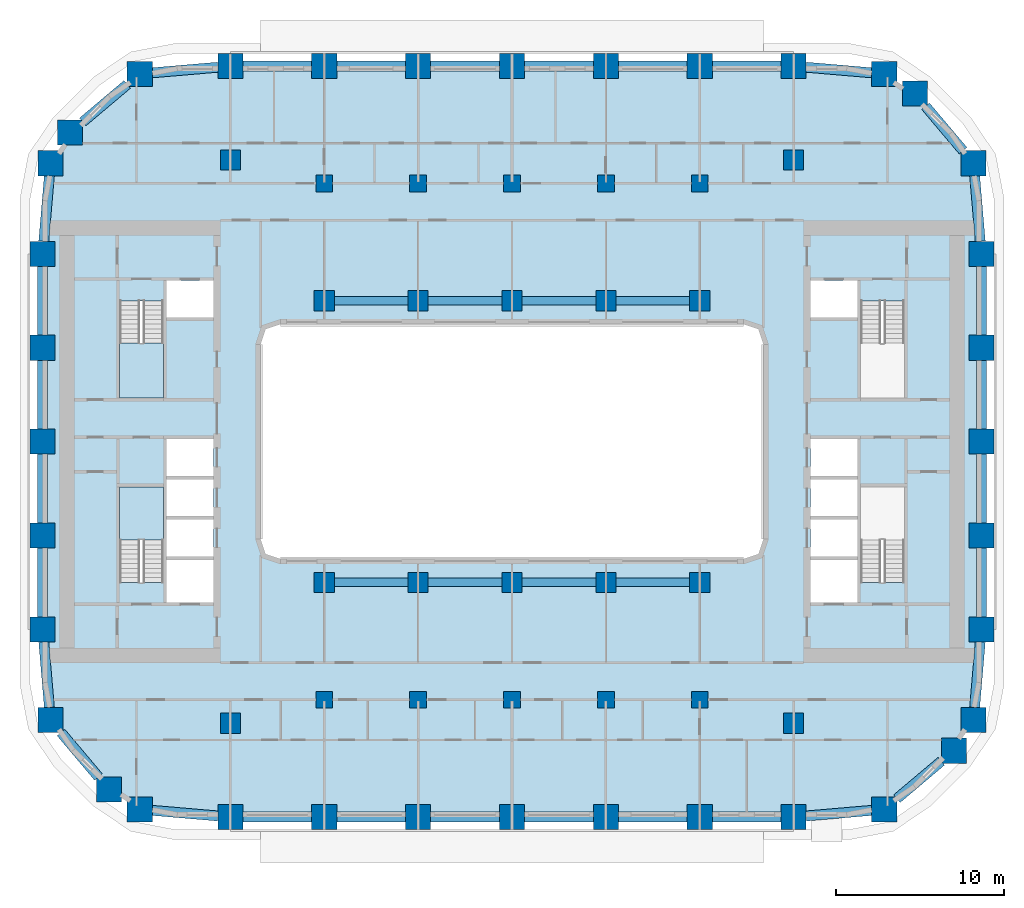
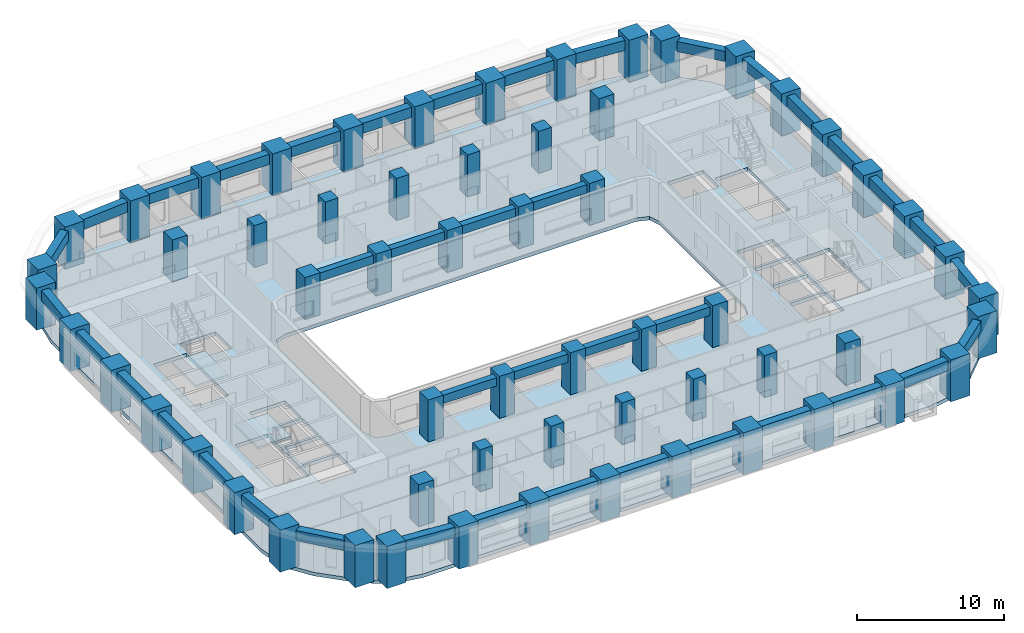
# One storey, part 1 of 21: 60 columns, 40 beams, 3 slabs, 2 elements without a shape of their own.
"""IFC4 building model written with IfcOpenShell, lengths in metres."""

from ifc_helpers import new_model, si_unit, direction, frame, origin, origin_2d, place, context, subcontext, project, spatial, polyline, rectangle, outline, extrude, material, layer, layer_set, material_profile, profile_set, type_object, element, aggregate, save


model = new_model("IFC4")

# Units and contexts
model_context = context("Model", 3, precision=1e-05, world=origin(), true_north=direction((0.0, 1.0)))
body_context = subcontext(model_context, "Body", "Model", "MODEL_VIEW")
ifc_project = project(units=[si_unit("LENGTHUNIT", "METRE"), si_unit("AREAUNIT", "SQUARE_METRE"), si_unit("VOLUMEUNIT", "CUBIC_METRE"), si_unit("PLANEANGLEUNIT", "RADIAN"), si_unit("MASSUNIT", "GRAM", prefix="KILO")], contexts=[model_context])

# Site, building, storey
site_placement = place(None, origin())
site = spatial("IfcSite", under=ifc_project, at=site_placement, CompositionType="ELEMENT")
building_placement = place(site_placement, origin())
building = spatial("IfcBuilding", under=site, at=building_placement, Name="Kiln Ring Residences", CompositionType="ELEMENT")
storey_placement = place(building_placement, frame((0.0, 0.0, 34.0)))
storey = spatial("IfcBuildingStorey", under=building, at=storey_placement, Name="L07", CompositionType="ELEMENT", Elevation=34.0)

# Columns
ifc_material_1 = material(Name="Concrete C80/95", Category="concrete")
ifc_material_profile_1 = material_profile(ifc_material_1, rectangle(XDim=1.0, YDim=1.0, at=origin_2d()), Name="RC1000x1000")
ifc_profile_set_1 = profile_set([ifc_material_profile_1], Name="Concrete C80/95")
column_type_1 = type_object("IfcColumnType", Name="Corridor column RC1000x1000 C80/95", PredefinedType="COLUMN", material=ifc_profile_set_1)
for number, where, z_axis, x_axis, name in (
    (1, (-11.199951171875, 15.39990234375, 0.0), (0.0, 0.0, 1.0), (1.0, 0.0, 0.0), "Corridor column L07 1"),
    (2, (-5.60009765625, 15.39990234375, 0.0), (0.0, 0.0, 1.0), (1.0, 0.0, 0.0), "Corridor column L07 2"),
    (3, (0.0, 15.39990234375, 0.0), (0.0, 0.0, 1.0), (1.0, 0.0, 0.0), "Corridor column L07 3"),
    (4, (5.60009765625, 15.39990234375, 0.0), (0.0, 0.0, 1.0), (1.0, 0.0, 0.0), "Corridor column L07 4"),
    (5, (11.199951171875, 15.39990234375, 0.0), (0.0, 0.0, 1.0), (1.0, 0.0, 0.0), "Corridor column L07 5"),
    (6, (-11.199951171875, -15.39990234375, 0.0), (0.0, 0.0, 1.0), (1.0, 0.0, 0.0), "Corridor column L07 6"),
    (7, (-5.60009765625, -15.39990234375, 0.0), (0.0, 0.0, 1.0), (1.0, 0.0, 0.0), "Corridor column L07 7"),
    (8, (0.0, -15.39990234375, 0.0), (0.0, 0.0, 1.0), (1.0, 0.0, 0.0), "Corridor column L07 8"),
    (9, (5.60009765625, -15.39990234375, 0.0), (0.0, 0.0, 1.0), (1.0, 0.0, 0.0), "Corridor column L07 9"),
    (10, (11.199951171875, -15.39990234375, 0.0), (0.0, 0.0, 1.0), (1.0, 0.0, 0.0), "Corridor column L07 10"),
):
    element("IfcColumn", number, at=place(storey_placement, frame(where, z_axis=z_axis, x_axis=x_axis)), inside=storey, type_object=column_type_1, Name=name, PredefinedType="COLUMN", context=body_context, shape_type="SweptSolid", body=[
        extrude(rectangle(XDim=1.0, YDim=1.0, at=origin_2d()), origin(), (0.0, 0.0, 1.0), 3.5),
    ])
ifc_material_2 = material(Name="Concrete C80/95", Category="concrete")
ifc_material_profile_2 = material_profile(ifc_material_2, rectangle(XDim=1.5, YDim=1.5, at=origin_2d()), Name="RC1500x1500")
ifc_profile_set_2 = profile_set([ifc_material_profile_2], Name="Concrete C80/95")
column_type_2 = type_object("IfcColumnType", Name="Perimeter column RC1500x1500 C80/95", PredefinedType="COLUMN", material=ifc_profile_set_2)
for number, where, z_axis, x_axis, name in (
    (11, (-22.208740234375, -21.93798828125, 0.0), (0.0, 0.0, 1.0), (1.0, 0.0, 0.0), "Perimeter column L07 1"),
    (12, (-16.800048828125, -22.39990234375, 0.0), (0.0, 0.0, 1.0), (1.0, 0.0, 0.0), "Perimeter column L07 2"),
    (13, (-11.199951171875, -22.39990234375, 0.0), (0.0, 0.0, 1.0), (1.0, 0.0, 0.0), "Perimeter column L07 3"),
    (14, (-5.60009765625, -22.39990234375, 0.0), (0.0, 0.0, 1.0), (1.0, 0.0, 0.0), "Perimeter column L07 4"),
    (15, (0.0, -22.39990234375, 0.0), (0.0, 0.0, 1.0), (1.0, 0.0, 0.0), "Perimeter column L07 5"),
    (16, (5.60009765625, -22.39990234375, 0.0), (0.0, 0.0, 1.0), (1.0, 0.0, 0.0), "Perimeter column L07 6"),
    (17, (11.199951171875, -22.39990234375, 0.0), (0.0, 0.0, 1.0), (1.0, 0.0, 0.0), "Perimeter column L07 7"),
    (18, (16.800048828125, -22.39990234375, 0.0), (0.0, 0.0, 1.0), (1.0, 0.0, 0.0), "Perimeter column L07 8"),
    (19, (22.208740234375, -21.93798828125, 0.0), (0.0, 0.0, 1.0), (1.0, 0.0, 0.0), "Perimeter column L07 9"),
    (20, (26.35986328125, -18.440185546875, 0.0), (0.0, 0.0, 1.0), (1.0, 0.0, 0.0), "Perimeter column L07 10"),
    (21, (27.5380859375, -16.608642578125, 0.0), (0.0, 0.0, 1.0), (1.0, 0.0, 0.0), "Perimeter column L07 11"),
    (22, (28.0, -11.199951171875, 0.0), (0.0, 0.0, 1.0), (1.0, 0.0, 0.0), "Perimeter column L07 12"),
    (23, (28.0, -5.60009765625, 0.0), (0.0, 0.0, 1.0), (1.0, 0.0, 0.0), "Perimeter column L07 13"),
    (24, (28.0, 0.0, 0.0), (0.0, 0.0, 1.0), (1.0, 0.0, 0.0), "Perimeter column L07 14"),
    (25, (28.0, 5.60009765625, 0.0), (0.0, 0.0, 1.0), (1.0, 0.0, 0.0), "Perimeter column L07 15"),
    (26, (28.0, 11.199951171875, 0.0), (0.0, 0.0, 1.0), (1.0, 0.0, 0.0), "Perimeter column L07 16"),
    (27, (27.5380859375, 16.608642578125, 0.0), (0.0, 0.0, 1.0), (1.0, 0.0, 0.0), "Perimeter column L07 17"),
    (28, (24.040283203125, 20.759765625, 0.0), (0.0, 0.0, 1.0), (1.0, 0.0, 0.0), "Perimeter column L07 18"),
    (29, (22.208740234375, 21.93798828125, 0.0), (0.0, 0.0, 1.0), (1.0, 0.0, 0.0), "Perimeter column L07 19"),
    (30, (16.800048828125, 22.39990234375, 0.0), (0.0, 0.0, 1.0), (1.0, 0.0, 0.0), "Perimeter column L07 20"),
    (31, (11.199951171875, 22.39990234375, 0.0), (0.0, 0.0, 1.0), (1.0, 0.0, 0.0), "Perimeter column L07 21"),
    (32, (5.60009765625, 22.39990234375, 0.0), (0.0, 0.0, 1.0), (1.0, 0.0, 0.0), "Perimeter column L07 22"),
    (33, (0.0, 22.39990234375, 0.0), (0.0, 0.0, 1.0), (1.0, 0.0, 0.0), "Perimeter column L07 23"),
    (34, (-5.60009765625, 22.39990234375, 0.0), (0.0, 0.0, 1.0), (1.0, 0.0, 0.0), "Perimeter column L07 24"),
    (35, (-11.199951171875, 22.39990234375, 0.0), (0.0, 0.0, 1.0), (1.0, 0.0, 0.0), "Perimeter column L07 25"),
    (36, (-16.800048828125, 22.39990234375, 0.0), (0.0, 0.0, 1.0), (1.0, 0.0, 0.0), "Perimeter column L07 26"),
    (37, (-22.208740234375, 21.93798828125, 0.0), (0.0, 0.0, 1.0), (1.0, 0.0, 0.0), "Perimeter column L07 27"),
    (38, (-26.35986328125, 18.440185546875, 0.0), (0.0, 0.0, 1.0), (1.0, 0.0, 0.0), "Perimeter column L07 28"),
    (39, (-27.5380859375, 16.608642578125, 0.0), (0.0, 0.0, 1.0), (1.0, 0.0, 0.0), "Perimeter column L07 29"),
    (40, (-28.0, 11.199951171875, 0.0), (0.0, 0.0, 1.0), (1.0, 0.0, 0.0), "Perimeter column L07 30"),
    (41, (-28.0, 5.60009765625, 0.0), (0.0, 0.0, 1.0), (1.0, 0.0, 0.0), "Perimeter column L07 31"),
    (42, (-28.0, 0.0, 0.0), (0.0, 0.0, 1.0), (1.0, 0.0, 0.0), "Perimeter column L07 32"),
    (43, (-28.0, -5.60009765625, 0.0), (0.0, 0.0, 1.0), (1.0, 0.0, 0.0), "Perimeter column L07 33"),
    (44, (-28.0, -11.199951171875, 0.0), (0.0, 0.0, 1.0), (1.0, 0.0, 0.0), "Perimeter column L07 34"),
    (45, (-27.5380859375, -16.608642578125, 0.0), (0.0, 0.0, 1.0), (1.0, 0.0, 0.0), "Perimeter column L07 35"),
    (46, (-24.040283203125, -20.759765625, 0.0), (0.0, 0.0, 1.0), (1.0, 0.0, 0.0), "Perimeter column L07 36"),
):
    element("IfcColumn", number, at=place(storey_placement, frame(where, z_axis=z_axis, x_axis=x_axis)), inside=storey, type_object=column_type_2, Name=name, PredefinedType="COLUMN", context=body_context, shape_type="SweptSolid", body=[
        extrude(rectangle(XDim=1.5, YDim=1.5, at=origin_2d()), origin(), (0.0, 0.0, 1.0), 3.5),
    ])
ifc_material_3 = material(Name="Concrete C80/95", Category="concrete")
ifc_material_profile_3 = material_profile(ifc_material_3, rectangle(XDim=1.199951171875, YDim=1.199951171875, at=origin_2d()), Name="RC1200x1200")
ifc_profile_set_3 = profile_set([ifc_material_profile_3], Name="Concrete C80/95")
column_type_3 = type_object("IfcColumnType", Name="Ring column RC1200x1200 C80/95", PredefinedType="COLUMN", material=ifc_profile_set_3)
for number, where, z_axis, x_axis, name in (
    (47, (-16.800048828125, -16.800048828125, 0.0), (0.0, 0.0, 1.0), (1.0, 0.0, 0.0), "Ring column L07 1"),
    (48, (-16.800048828125, 16.800048828125, 0.0), (0.0, 0.0, 1.0), (1.0, 0.0, 0.0), "Ring column L07 2"),
    (49, (-11.199951171875, -8.39990234375, 0.0), (0.0, 0.0, 1.0), (1.0, 0.0, 0.0), "Ring column L07 3"),
    (50, (-11.199951171875, 8.39990234375, 0.0), (0.0, 0.0, 1.0), (1.0, 0.0, 0.0), "Ring column L07 4"),
    (51, (-5.60009765625, -8.39990234375, 0.0), (0.0, 0.0, 1.0), (1.0, 0.0, 0.0), "Ring column L07 5"),
    (52, (-5.60009765625, 8.39990234375, 0.0), (0.0, 0.0, 1.0), (1.0, 0.0, 0.0), "Ring column L07 6"),
    (53, (0.0, -8.39990234375, 0.0), (0.0, 0.0, 1.0), (1.0, 0.0, 0.0), "Ring column L07 7"),
    (54, (0.0, 8.39990234375, 0.0), (0.0, 0.0, 1.0), (1.0, 0.0, 0.0), "Ring column L07 8"),
    (55, (5.60009765625, -8.39990234375, 0.0), (0.0, 0.0, 1.0), (1.0, 0.0, 0.0), "Ring column L07 9"),
    (56, (5.60009765625, 8.39990234375, 0.0), (0.0, 0.0, 1.0), (1.0, 0.0, 0.0), "Ring column L07 10"),
    (57, (11.199951171875, -8.39990234375, 0.0), (0.0, 0.0, 1.0), (1.0, 0.0, 0.0), "Ring column L07 11"),
    (58, (11.199951171875, 8.39990234375, 0.0), (0.0, 0.0, 1.0), (1.0, 0.0, 0.0), "Ring column L07 12"),
    (59, (16.800048828125, -16.800048828125, 0.0), (0.0, 0.0, 1.0), (1.0, 0.0, 0.0), "Ring column L07 13"),
    (60, (16.800048828125, 16.800048828125, 0.0), (0.0, 0.0, 1.0), (1.0, 0.0, 0.0), "Ring column L07 14"),
):
    element("IfcColumn", number, at=place(storey_placement, frame(where, z_axis=z_axis, x_axis=x_axis)), inside=storey, type_object=column_type_3, Name=name, PredefinedType="COLUMN", context=body_context, shape_type="SweptSolid", body=[
        extrude(rectangle(XDim=1.199951171875, YDim=1.199951171875, at=origin_2d()), origin(), (0.0, 0.0, 1.0), 3.5),
    ])

# Beams
ifc_material_4 = material(Name="Concrete C50/60", Category="concrete")
ifc_material_profile_4 = material_profile(ifc_material_4, rectangle(XDim=0.5, YDim=0.699951171875, at=origin_2d()), Name="RC500x700")
ifc_profile_set_4 = profile_set([ifc_material_profile_4], Name="Concrete C50/60")
beam_type_1 = type_object("IfcBeamType", Name="Ring beam RC500x700 C50/60", PredefinedType="BEAM", material=ifc_profile_set_4)
beam_1_placement = place(storey_placement, frame((-10.60009765625, -8.39990234375, 2.85009765625), z_axis=(1.0, 0.0, 0.0), x_axis=(0.0, 1.0, 0.0)))
element("IfcBeam", 61, at=beam_1_placement, inside=storey, type_object=beam_type_1, Name="Ring beam L07 1", PredefinedType="BEAM", context=body_context, shape_type="SweptSolid", body=[
    extrude(rectangle(XDim=0.5, YDim=0.699951171875, at=origin_2d()), origin(), (0.0, 0.0, 1.0), 4.400146484375),
])
for number, where, z_axis, x_axis, name in (
    (62, (-5.0, -8.39990234375, 2.85009765625), (1.0, 0.0, 0.0), (0.0, 1.0, 0.0), "Ring beam L07 2"),
    (63, (0.60009765625, -8.39990234375, 2.85009765625), (1.0, 0.0, 0.0), (0.0, 1.0, 0.0), "Ring beam L07 3"),
):
    element("IfcBeam", number, at=place(storey_placement, frame(where, z_axis=z_axis, x_axis=x_axis)), inside=storey, type_object=beam_type_1, Name=name, PredefinedType="BEAM", context=body_context, shape_type="SweptSolid", body=[
        extrude(rectangle(XDim=0.5, YDim=0.699951171875, at=origin_2d()), origin(), (0.0, 0.0, 1.0), 4.39990234375),
    ])
for number, where, z_axis, x_axis, name in (
    (64, (6.199951171875, -8.39990234375, 2.85009765625), (1.0, 0.0, 0.0), (0.0, 1.0, 0.0), "Ring beam L07 4"),
    (65, (-10.60009765625, 8.39990234375, 2.85009765625), (1.0, 0.0, 0.0), (0.0, 1.0, 0.0), "Ring beam L07 5"),
):
    element("IfcBeam", number, at=place(storey_placement, frame(where, z_axis=z_axis, x_axis=x_axis)), inside=storey, type_object=beam_type_1, Name=name, PredefinedType="BEAM", context=body_context, shape_type="SweptSolid", body=[
        extrude(rectangle(XDim=0.5, YDim=0.699951171875, at=origin_2d()), origin(), (0.0, 0.0, 1.0), 4.400146484375),
    ])
for number, where, z_axis, x_axis, name in (
    (66, (-5.0, 8.39990234375, 2.85009765625), (1.0, 0.0, 0.0), (0.0, 1.0, 0.0), "Ring beam L07 6"),
    (67, (0.60009765625, 8.39990234375, 2.85009765625), (1.0, 0.0, 0.0), (0.0, 1.0, 0.0), "Ring beam L07 7"),
):
    element("IfcBeam", number, at=place(storey_placement, frame(where, z_axis=z_axis, x_axis=x_axis)), inside=storey, type_object=beam_type_1, Name=name, PredefinedType="BEAM", context=body_context, shape_type="SweptSolid", body=[
        extrude(rectangle(XDim=0.5, YDim=0.699951171875, at=origin_2d()), origin(), (0.0, 0.0, 1.0), 4.39990234375),
    ])
beam_2_placement = place(storey_placement, frame((6.199951171875, 8.39990234375, 2.85009765625), z_axis=(1.0, 0.0, 0.0), x_axis=(0.0, 1.0, 0.0)))
element("IfcBeam", 68, at=beam_2_placement, inside=storey, type_object=beam_type_1, Name="Ring beam L07 8", PredefinedType="BEAM", context=body_context, shape_type="SweptSolid", body=[
    extrude(rectangle(XDim=0.5, YDim=0.699951171875, at=origin_2d()), origin(), (0.0, 0.0, 1.0), 4.400146484375),
])
ifc_material_5 = material(Name="Concrete C50/60", Category="concrete")
ifc_material_profile_5 = material_profile(ifc_material_5, rectangle(XDim=0.60009765625, YDim=0.85009765625, at=origin_2d()), Name="RC600x850")
ifc_profile_set_5 = profile_set([ifc_material_profile_5], Name="Concrete C50/60")
beam_type_2 = type_object("IfcBeamType", Name="Spandrel beam RC600x850 C50/60", PredefinedType="SPANDREL", material=ifc_profile_set_5)
beam_3_placement = place(storey_placement, frame((-21.458740234375, -22.002197265625, 2.77490234375), z_axis=(0.996374585929, -0.085074582072, 0.0), x_axis=(0.085074582072, 0.996374585929, 0.0)))
element("IfcBeam", 69, at=beam_3_placement, inside=storey, type_object=beam_type_2, Name="Spandrel beam L07 1", PredefinedType="SPANDREL", context=body_context, shape_type="SweptSolid", body=[
    extrude(rectangle(XDim=0.60009765625, YDim=0.85009765625, at=origin_2d()), origin(), (0.0, 0.0, 1.0), 3.9228515625),
])
beam_4_placement = place(storey_placement, frame((-16.050048828125, -22.39990234375, 2.77490234375), z_axis=(1.0, 0.0, 0.0), x_axis=(0.0, 1.0, 0.0)))
element("IfcBeam", 70, at=beam_4_placement, inside=storey, type_object=beam_type_2, Name="Spandrel beam L07 2", PredefinedType="SPANDREL", context=body_context, shape_type="SweptSolid", body=[
    extrude(rectangle(XDim=0.60009765625, YDim=0.85009765625, at=origin_2d()), origin(), (0.0, 0.0, 1.0), 4.10009765625),
])
beam_5_placement = place(storey_placement, frame((-10.449951171875, -22.39990234375, 2.77490234375), z_axis=(1.0, 0.0, 0.0), x_axis=(0.0, 1.0, 0.0)))
element("IfcBeam", 71, at=beam_5_placement, inside=storey, type_object=beam_type_2, Name="Spandrel beam L07 3", PredefinedType="SPANDREL", context=body_context, shape_type="SweptSolid", body=[
    extrude(rectangle(XDim=0.60009765625, YDim=0.85009765625, at=origin_2d()), origin(), (0.0, 0.0, 1.0), 4.099853515625),
])
for number, where, z_axis, x_axis, name in (
    (72, (-4.85009765625, -22.39990234375, 2.77490234375), (1.0, 0.0, 0.0), (0.0, 1.0, 0.0), "Spandrel beam L07 4"),
    (73, (0.75, -22.39990234375, 2.77490234375), (1.0, 0.0, 0.0), (0.0, 1.0, 0.0), "Spandrel beam L07 5"),
):
    element("IfcBeam", number, at=place(storey_placement, frame(where, z_axis=z_axis, x_axis=x_axis)), inside=storey, type_object=beam_type_2, Name=name, PredefinedType="SPANDREL", context=body_context, shape_type="SweptSolid", body=[
        extrude(rectangle(XDim=0.60009765625, YDim=0.85009765625, at=origin_2d()), origin(), (0.0, 0.0, 1.0), 4.10009765625),
    ])
beam_6_placement = place(storey_placement, frame((6.35009765625, -22.39990234375, 2.77490234375), z_axis=(1.0, 0.0, 0.0), x_axis=(0.0, 1.0, 0.0)))
element("IfcBeam", 74, at=beam_6_placement, inside=storey, type_object=beam_type_2, Name="Spandrel beam L07 6", PredefinedType="SPANDREL", context=body_context, shape_type="SweptSolid", body=[
    extrude(rectangle(XDim=0.60009765625, YDim=0.85009765625, at=origin_2d()), origin(), (0.0, 0.0, 1.0), 4.099853515625),
])
beam_7_placement = place(storey_placement, frame((11.949951171875, -22.39990234375, 2.77490234375), z_axis=(1.0, 0.0, 0.0), x_axis=(0.0, 1.0, 0.0)))
element("IfcBeam", 75, at=beam_7_placement, inside=storey, type_object=beam_type_2, Name="Spandrel beam L07 7", PredefinedType="SPANDREL", context=body_context, shape_type="SweptSolid", body=[
    extrude(rectangle(XDim=0.60009765625, YDim=0.85009765625, at=origin_2d()), origin(), (0.0, 0.0, 1.0), 4.10009765625),
])
beam_8_placement = place(storey_placement, frame((17.550048828125, -22.3359375, 2.77490234375), z_axis=(0.996374585929, 0.085074582072, 0.0), x_axis=(-0.085074582072, 0.996374585929, 0.0)))
element("IfcBeam", 76, at=beam_8_placement, inside=storey, type_object=beam_type_2, Name="Spandrel beam L07 8", PredefinedType="SPANDREL", context=body_context, shape_type="SweptSolid", body=[
    extrude(rectangle(XDim=0.60009765625, YDim=0.85009765625, at=origin_2d()), origin(), (0.0, 0.0, 1.0), 3.9228515625),
])
beam_9_placement = place(storey_placement, frame((22.958740234375, -21.30615234375, 2.77490234375), z_axis=(0.76471758739, 0.644365588417, 0.0), x_axis=(-0.644365588417, 0.76471758739, 0.0)))
element("IfcBeam", 77, at=beam_9_placement, inside=storey, type_object=beam_type_2, Name="Spandrel beam L07 9", PredefinedType="SPANDREL", context=body_context, shape_type="SweptSolid", body=[
    extrude(rectangle(XDim=0.60009765625, YDim=0.85009765625, at=origin_2d()), origin(), (0.0, 0.0, 1.0), 3.466796875),
])
beam_10_placement = place(storey_placement, frame((27.60205078125, -15.858642578125, 2.77490234375), z_axis=(0.085136365662, 0.996369308661, 0.0), x_axis=(-0.996369308661, 0.085136365662, 0.0)))
element("IfcBeam", 78, at=beam_10_placement, inside=storey, type_object=beam_type_2, Name="Spandrel beam L07 10", PredefinedType="SPANDREL", context=body_context, shape_type="SweptSolid", body=[
    extrude(rectangle(XDim=0.60009765625, YDim=0.85009765625, at=origin_2d()), origin(), (0.0, 0.0, 1.0), 3.9228515625),
])
beam_11_placement = place(storey_placement, frame((28.0, -10.449951171875, 2.77490234375), z_axis=(0.0, 1.0, 0.0), x_axis=(-1.0, 0.0, 0.0)))
element("IfcBeam", 79, at=beam_11_placement, inside=storey, type_object=beam_type_2, Name="Spandrel beam L07 11", PredefinedType="SPANDREL", context=body_context, shape_type="SweptSolid", body=[
    extrude(rectangle(XDim=0.60009765625, YDim=0.85009765625, at=origin_2d()), origin(), (0.0, 0.0, 1.0), 4.099853515625),
])
for number, where, z_axis, x_axis, name in (
    (80, (28.0, -4.85009765625, 2.77490234375), (0.0, 1.0, 0.0), (-1.0, 0.0, 0.0), "Spandrel beam L07 12"),
    (81, (28.0, 0.75, 2.77490234375), (0.0, 1.0, 0.0), (-1.0, 0.0, 0.0), "Spandrel beam L07 13"),
):
    element("IfcBeam", number, at=place(storey_placement, frame(where, z_axis=z_axis, x_axis=x_axis)), inside=storey, type_object=beam_type_2, Name=name, PredefinedType="SPANDREL", context=body_context, shape_type="SweptSolid", body=[
        extrude(rectangle(XDim=0.60009765625, YDim=0.85009765625, at=origin_2d()), origin(), (0.0, 0.0, 1.0), 4.10009765625),
    ])
beam_12_placement = place(storey_placement, frame((28.0, 6.35009765625, 2.77490234375), z_axis=(0.0, 1.0, 0.0), x_axis=(-1.0, 0.0, 0.0)))
element("IfcBeam", 82, at=beam_12_placement, inside=storey, type_object=beam_type_2, Name="Spandrel beam L07 14", PredefinedType="SPANDREL", context=body_context, shape_type="SweptSolid", body=[
    extrude(rectangle(XDim=0.60009765625, YDim=0.85009765625, at=origin_2d()), origin(), (0.0, 0.0, 1.0), 4.099853515625),
])
beam_13_placement = place(storey_placement, frame((27.93603515625, 11.949951171875, 2.77490234375), z_axis=(-0.085136365662, 0.996369308661, 0.0), x_axis=(-0.996369308661, -0.085136365662, 0.0)))
element("IfcBeam", 83, at=beam_13_placement, inside=storey, type_object=beam_type_2, Name="Spandrel beam L07 15", PredefinedType="SPANDREL", context=body_context, shape_type="SweptSolid", body=[
    extrude(rectangle(XDim=0.60009765625, YDim=0.85009765625, at=origin_2d()), origin(), (0.0, 0.0, 1.0), 3.9228515625),
])
beam_14_placement = place(storey_placement, frame((26.906005859375, 17.358642578125, 2.77490234375), z_axis=(-0.644365588417, 0.76471758739, 0.0), x_axis=(-0.76471758739, -0.644365588417, 0.0)))
element("IfcBeam", 84, at=beam_14_placement, inside=storey, type_object=beam_type_2, Name="Spandrel beam L07 16", PredefinedType="SPANDREL", context=body_context, shape_type="SweptSolid", body=[
    extrude(rectangle(XDim=0.60009765625, YDim=0.85009765625, at=origin_2d()), origin(), (0.0, 0.0, 1.0), 3.466796875),
])
beam_15_placement = place(storey_placement, frame((21.458740234375, 22.002197265625, 2.77490234375), z_axis=(-0.996374585929, 0.085074582072, 0.0), x_axis=(-0.085074582072, -0.996374585929, 0.0)))
element("IfcBeam", 85, at=beam_15_placement, inside=storey, type_object=beam_type_2, Name="Spandrel beam L07 17", PredefinedType="SPANDREL", context=body_context, shape_type="SweptSolid", body=[
    extrude(rectangle(XDim=0.60009765625, YDim=0.85009765625, at=origin_2d()), origin(), (0.0, 0.0, 1.0), 3.9228515625),
])
beam_16_placement = place(storey_placement, frame((16.050048828125, 22.39990234375, 2.77490234375), z_axis=(-1.0, 0.0, 0.0), x_axis=(0.0, -1.0, 0.0)))
element("IfcBeam", 86, at=beam_16_placement, inside=storey, type_object=beam_type_2, Name="Spandrel beam L07 18", PredefinedType="SPANDREL", context=body_context, shape_type="SweptSolid", body=[
    extrude(rectangle(XDim=0.60009765625, YDim=0.85009765625, at=origin_2d()), origin(), (0.0, 0.0, 1.0), 4.10009765625),
])
beam_17_placement = place(storey_placement, frame((10.449951171875, 22.39990234375, 2.77490234375), z_axis=(-1.0, 0.0, 0.0), x_axis=(0.0, -1.0, 0.0)))
element("IfcBeam", 87, at=beam_17_placement, inside=storey, type_object=beam_type_2, Name="Spandrel beam L07 19", PredefinedType="SPANDREL", context=body_context, shape_type="SweptSolid", body=[
    extrude(rectangle(XDim=0.60009765625, YDim=0.85009765625, at=origin_2d()), origin(), (0.0, 0.0, 1.0), 4.099853515625),
])
for number, where, z_axis, x_axis, name in (
    (88, (4.85009765625, 22.39990234375, 2.77490234375), (-1.0, 0.0, 0.0), (0.0, -1.0, 0.0), "Spandrel beam L07 20"),
    (89, (-0.75, 22.39990234375, 2.77490234375), (-1.0, 0.0, 0.0), (0.0, -1.0, 0.0), "Spandrel beam L07 21"),
):
    element("IfcBeam", number, at=place(storey_placement, frame(where, z_axis=z_axis, x_axis=x_axis)), inside=storey, type_object=beam_type_2, Name=name, PredefinedType="SPANDREL", context=body_context, shape_type="SweptSolid", body=[
        extrude(rectangle(XDim=0.60009765625, YDim=0.85009765625, at=origin_2d()), origin(), (0.0, 0.0, 1.0), 4.10009765625),
    ])
beam_18_placement = place(storey_placement, frame((-6.35009765625, 22.39990234375, 2.77490234375), z_axis=(-1.0, 0.0, 0.0), x_axis=(0.0, -1.0, 0.0)))
element("IfcBeam", 90, at=beam_18_placement, inside=storey, type_object=beam_type_2, Name="Spandrel beam L07 22", PredefinedType="SPANDREL", context=body_context, shape_type="SweptSolid", body=[
    extrude(rectangle(XDim=0.60009765625, YDim=0.85009765625, at=origin_2d()), origin(), (0.0, 0.0, 1.0), 4.099853515625),
])
beam_19_placement = place(storey_placement, frame((-11.949951171875, 22.39990234375, 2.77490234375), z_axis=(-1.0, 0.0, 0.0), x_axis=(0.0, -1.0, 0.0)))
element("IfcBeam", 91, at=beam_19_placement, inside=storey, type_object=beam_type_2, Name="Spandrel beam L07 23", PredefinedType="SPANDREL", context=body_context, shape_type="SweptSolid", body=[
    extrude(rectangle(XDim=0.60009765625, YDim=0.85009765625, at=origin_2d()), origin(), (0.0, 0.0, 1.0), 4.10009765625),
])
beam_20_placement = place(storey_placement, frame((-17.550048828125, 22.3359375, 2.77490234375), z_axis=(-0.996374585929, -0.085074582072, 0.0), x_axis=(0.085074582072, -0.996374585929, 0.0)))
element("IfcBeam", 92, at=beam_20_placement, inside=storey, type_object=beam_type_2, Name="Spandrel beam L07 24", PredefinedType="SPANDREL", context=body_context, shape_type="SweptSolid", body=[
    extrude(rectangle(XDim=0.60009765625, YDim=0.85009765625, at=origin_2d()), origin(), (0.0, 0.0, 1.0), 3.9228515625),
])
beam_21_placement = place(storey_placement, frame((-22.958740234375, 21.30615234375, 2.77490234375), z_axis=(-0.76471758739, -0.644365588417, 0.0), x_axis=(0.644365588417, -0.76471758739, 0.0)))
element("IfcBeam", 93, at=beam_21_placement, inside=storey, type_object=beam_type_2, Name="Spandrel beam L07 25", PredefinedType="SPANDREL", context=body_context, shape_type="SweptSolid", body=[
    extrude(rectangle(XDim=0.60009765625, YDim=0.85009765625, at=origin_2d()), origin(), (0.0, 0.0, 1.0), 3.466796875),
])
beam_22_placement = place(storey_placement, frame((-27.60205078125, 15.858642578125, 2.77490234375), z_axis=(-0.085136365662, -0.996369308661, 0.0), x_axis=(0.996369308661, -0.085136365662, 0.0)))
element("IfcBeam", 94, at=beam_22_placement, inside=storey, type_object=beam_type_2, Name="Spandrel beam L07 26", PredefinedType="SPANDREL", context=body_context, shape_type="SweptSolid", body=[
    extrude(rectangle(XDim=0.60009765625, YDim=0.85009765625, at=origin_2d()), origin(), (0.0, 0.0, 1.0), 3.9228515625),
])
beam_23_placement = place(storey_placement, frame((-28.0, 10.449951171875, 2.77490234375), z_axis=(0.0, -1.0, 0.0), x_axis=(1.0, 0.0, 0.0)))
element("IfcBeam", 95, at=beam_23_placement, inside=storey, type_object=beam_type_2, Name="Spandrel beam L07 27", PredefinedType="SPANDREL", context=body_context, shape_type="SweptSolid", body=[
    extrude(rectangle(XDim=0.60009765625, YDim=0.85009765625, at=origin_2d()), origin(), (0.0, 0.0, 1.0), 4.099853515625),
])
for number, where, z_axis, x_axis, name in (
    (96, (-28.0, 4.85009765625, 2.77490234375), (0.0, -1.0, 0.0), (1.0, 0.0, 0.0), "Spandrel beam L07 28"),
    (97, (-28.0, -0.75, 2.77490234375), (0.0, -1.0, 0.0), (1.0, 0.0, 0.0), "Spandrel beam L07 29"),
):
    element("IfcBeam", number, at=place(storey_placement, frame(where, z_axis=z_axis, x_axis=x_axis)), inside=storey, type_object=beam_type_2, Name=name, PredefinedType="SPANDREL", context=body_context, shape_type="SweptSolid", body=[
        extrude(rectangle(XDim=0.60009765625, YDim=0.85009765625, at=origin_2d()), origin(), (0.0, 0.0, 1.0), 4.10009765625),
    ])
beam_24_placement = place(storey_placement, frame((-28.0, -6.35009765625, 2.77490234375), z_axis=(0.0, -1.0, 0.0), x_axis=(1.0, 0.0, 0.0)))
element("IfcBeam", 98, at=beam_24_placement, inside=storey, type_object=beam_type_2, Name="Spandrel beam L07 30", PredefinedType="SPANDREL", context=body_context, shape_type="SweptSolid", body=[
    extrude(rectangle(XDim=0.60009765625, YDim=0.85009765625, at=origin_2d()), origin(), (0.0, 0.0, 1.0), 4.099853515625),
])
beam_25_placement = place(storey_placement, frame((-27.93603515625, -11.949951171875, 2.77490234375), z_axis=(0.085136365662, -0.996369308661, 0.0), x_axis=(0.996369308661, 0.085136365662, 0.0)))
element("IfcBeam", 99, at=beam_25_placement, inside=storey, type_object=beam_type_2, Name="Spandrel beam L07 31", PredefinedType="SPANDREL", context=body_context, shape_type="SweptSolid", body=[
    extrude(rectangle(XDim=0.60009765625, YDim=0.85009765625, at=origin_2d()), origin(), (0.0, 0.0, 1.0), 3.9228515625),
])
beam_26_placement = place(storey_placement, frame((-26.906005859375, -17.358642578125, 2.77490234375), z_axis=(0.644365588417, -0.76471758739, 0.0), x_axis=(0.76471758739, 0.644365588417, 0.0)))
element("IfcBeam", 100, at=beam_26_placement, inside=storey, type_object=beam_type_2, Name="Spandrel beam L07 32", PredefinedType="SPANDREL", context=body_context, shape_type="SweptSolid", body=[
    extrude(rectangle(XDim=0.60009765625, YDim=0.85009765625, at=origin_2d()), origin(), (0.0, 0.0, 1.0), 3.466796875),
])

# Stair, slab
ifc_material_6 = material(Name="Concrete C40/50", Category="concrete")
stair_type = type_object("IfcStairType", Name="CORE-STAIR", PredefinedType="HALF_TURN_STAIR", material=ifc_material_6)
placement_1 = place(storey_placement, origin())
stair_1 = element("IfcStair", 101, at=placement_1, inside=storey, type_object=stair_type, Name="L07 stair W-STN", PredefinedType="HALF_TURN_STAIR")
ifc_material_7 = material(Name="Concrete C40/50", Category="concrete")
ifc_layer_1 = layer(ifc_material_7, 0.199951171875)
ifc_layer_set_1 = layer_set([ifc_layer_1], Name="CORE-STAIR-LANDING")
slab_type_1 = type_object("IfcSlabType", Name="CORE-STAIR-LANDING", PredefinedType="LANDING", material=ifc_layer_set_1)
placement_2 = place(storey_placement, frame((0.0, 0.0, 1.550048828125)))
slab_1 = element("IfcSlab", 102, at=placement_2, type_object=slab_type_1, Name="W-STN landing 1", PredefinedType="LANDING", context=body_context, shape_type="SweptSolid", body=[
    extrude(outline(polyline([(-23.39990234375, 5.8798828125), (-23.39990234375, 2.60009765625), (-20.800048828125, 2.60009765625), (-20.800048828125, 5.8798828125), (-23.39990234375, 5.8798828125)])), origin(), (0.0, 0.0, 1.0), 0.199951171875),
])
aggregate(stair_1, [slab_1])

stair_2 = element("IfcStair", 103, at=placement_1, inside=storey, type_object=stair_type, Name="L07 stair W-STS", PredefinedType="HALF_TURN_STAIR")
slab_2 = element("IfcSlab", 104, at=placement_2, type_object=slab_type_1, Name="W-STS landing 1", PredefinedType="LANDING", context=body_context, shape_type="SweptSolid", body=[
    extrude(outline(polyline([(-20.800048828125, -5.8798828125), (-20.800048828125, -2.699951171875), (-23.39990234375, -2.699951171875), (-23.39990234375, -5.8798828125), (-20.800048828125, -5.8798828125)])), origin(), (0.0, 0.0, 1.0), 0.199951171875),
])
aggregate(stair_2, [slab_2])

# Slab
ifc_material_8 = material(Name="Concrete C40/50", Category="concrete")
ifc_layer_2 = layer(ifc_material_8, 0.300048828125)
ifc_layer_set_2 = layer_set([ifc_layer_2], Name="Floor slab 300")
slab_type_2 = type_object("IfcSlabType", Name="Floor slab 300", PredefinedType="FLOOR", material=ifc_layer_set_2)
slab_3_placement = place(storey_placement, frame((0.0, 0.0, -0.300048828125)))
element("IfcSlab", 105, at=slab_3_placement, inside=storey, type_object=slab_type_2, Name="Floor slab L07 1", PredefinedType="FLOOR", context=body_context, shape_type="SweptSolid", body=[
    extrude(outline(polyline([(-26.302978515625, -18.4970703125), (-24.09716796875, -20.702880859375), (-22.224365234375, -21.975830078125), (-20.0, -22.39990234375), (20.0, -22.39990234375), (22.224365234375, -21.975830078125), (24.09716796875, -20.702880859375), (26.302978515625, -18.4970703125), (27.57568359375, -16.624267578125), (28.0, -14.39990234375), (28.0, 14.39990234375), (27.57568359375, 16.624267578125), (26.302978515625, 18.4970703125), (24.09716796875, 20.702880859375), (22.224365234375, 21.975830078125), (20.0, 22.39990234375), (-20.0, 22.39990234375), (-22.224365234375, 21.975830078125), (-24.09716796875, 20.702880859375), (-26.302978515625, 18.4970703125), (-27.57568359375, 16.624267578125), (-28.0, 14.39990234375), (-28.0, -14.39990234375), (-27.57568359375, -16.624267578125), (-26.302978515625, -18.4970703125)]), holes=[polyline([(-14.699951171875, -6.699951171875), (-15.0, -5.800048828125), (-15.0, 5.800048828125), (-14.699951171875, 6.699951171875), (-13.800048828125, 7.0), (13.800048828125, 7.0), (14.699951171875, 6.699951171875), (15.0, 5.800048828125), (15.0, -5.800048828125), (14.699951171875, -6.699951171875), (13.800048828125, -7.0), (-13.800048828125, -7.0), (-14.699951171875, -6.699951171875)]), polyline([(20.800048828125, -8.39794921875), (20.800048828125, -2.699951171875), (23.39990234375, -2.699951171875), (23.39990234375, -8.39794921875), (20.800048828125, -8.39794921875)]), polyline([(20.800048828125, 2.60009765625), (20.800048828125, 8.39794921875), (23.39990234375, 8.39794921875), (23.39990234375, 2.60009765625), (20.800048828125, 2.60009765625)]), polyline([(17.800048828125, -6.85009765625), (17.800048828125, -4.64990234375), (20.60009765625, -4.64990234375), (20.60009765625, -6.85009765625), (17.800048828125, -6.85009765625)]), polyline([(17.800048828125, -4.449951171875), (17.800048828125, -2.25), (20.60009765625, -2.25), (20.60009765625, -4.449951171875), (17.800048828125, -4.449951171875)]), polyline([(17.800048828125, -2.050048828125), (17.800048828125, 0.14990234375), (20.60009765625, 0.14990234375), (20.60009765625, -2.050048828125), (17.800048828125, -2.050048828125)]), polyline([(17.800048828125, 7.39990234375), (17.800048828125, 9.60009765625), (20.60009765625, 9.60009765625), (20.60009765625, 7.39990234375), (17.800048828125, 7.39990234375)]), polyline([(20.60009765625, -9.60009765625), (17.800048828125, -9.60009765625), (17.800048828125, -7.050048828125), (20.60009765625, -7.050048828125), (20.60009765625, -9.60009765625)]), polyline([(-17.800048828125, -7.050048828125), (-17.800048828125, -9.60009765625), (-20.60009765625, -9.60009765625), (-20.60009765625, -7.050048828125), (-17.800048828125, -7.050048828125)]), polyline([(-17.800048828125, -6.85009765625), (-20.60009765625, -6.85009765625), (-20.60009765625, -4.64990234375), (-17.800048828125, -4.64990234375), (-17.800048828125, -6.85009765625)]), polyline([(-17.800048828125, -4.449951171875), (-20.60009765625, -4.449951171875), (-20.60009765625, -2.25), (-17.800048828125, -2.25), (-17.800048828125, -4.449951171875)]), polyline([(-17.800048828125, -2.050048828125), (-20.60009765625, -2.050048828125), (-20.60009765625, 0.14990234375), (-17.800048828125, 0.14990234375), (-17.800048828125, -2.050048828125)]), polyline([(-17.800048828125, 7.39990234375), (-20.60009765625, 7.39990234375), (-20.60009765625, 9.60009765625), (-17.800048828125, 9.60009765625), (-17.800048828125, 7.39990234375)]), polyline([(-20.800048828125, -8.39794921875), (-23.39990234375, -8.39794921875), (-23.39990234375, -2.699951171875), (-20.800048828125, -2.699951171875), (-20.800048828125, -8.39794921875)]), polyline([(-20.800048828125, 2.60009765625), (-23.39990234375, 2.60009765625), (-23.39990234375, 8.39794921875), (-20.800048828125, 8.39794921875), (-20.800048828125, 2.60009765625)])]), origin(), (0.0, 0.0, 1.0), 0.300048828125),
])

save(model, "model.ifc")
